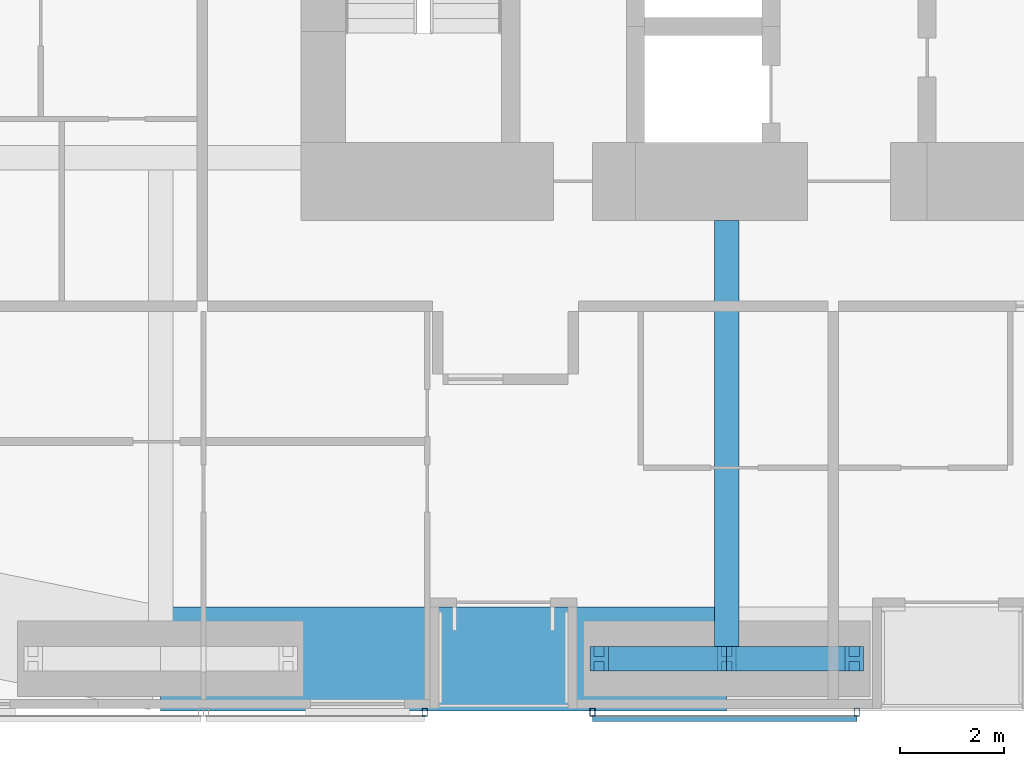
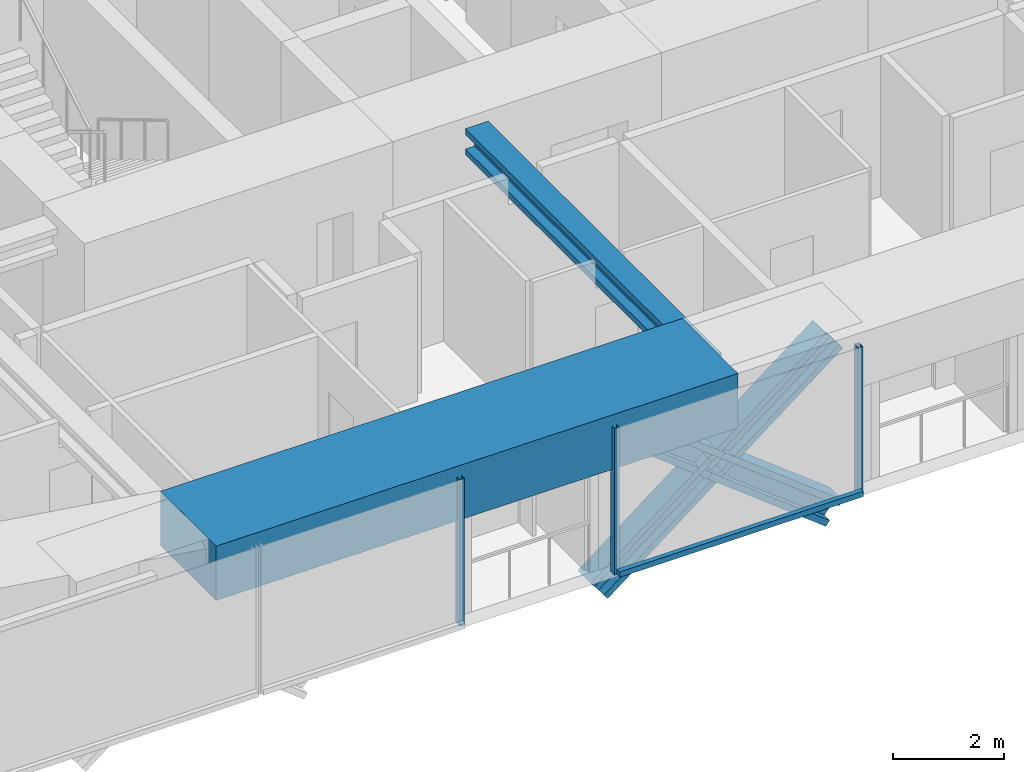
# One storey, part 4 of 23: 8 members, 2 beams, 2 elements without a shape of their own.
"""IFC4 building model written with IfcOpenShell, lengths in metres."""

from ifc_helpers import new_model, si_unit, direction, frame, origin, origin_2d, place, context, subcontext, project, spatial, rectangle, hollow_rectangle, i_section, extrude, material, material_profile, profile_set, type_object, element, aggregate, save


model = new_model("IFC4")

# Units and contexts
model_context = context("Model", 3, precision=1e-05, world=origin(), true_north=direction((0.0, 1.0)))
body_context = subcontext(model_context, "Body", "Model", "MODEL_VIEW")
ifc_project = project(units=[si_unit("LENGTHUNIT", "METRE"), si_unit("AREAUNIT", "SQUARE_METRE"), si_unit("VOLUMEUNIT", "CUBIC_METRE"), si_unit("PLANEANGLEUNIT", "RADIAN"), si_unit("MASSUNIT", "GRAM", prefix="KILO")], contexts=[model_context])

# Site, building, storey
site_placement = place(None, origin())
site = spatial("IfcSite", under=ifc_project, at=site_placement, CompositionType="ELEMENT")
building_placement = place(site_placement, origin())
building = spatial("IfcBuilding", under=site, at=building_placement, Name="Jalousie Tower", CompositionType="ELEMENT")
storey_placement = place(building_placement, frame((0.0, 0.0, 84.75)))
storey = spatial("IfcBuildingStorey", under=building, at=storey_placement, Name="L22", CompositionType="ELEMENT", Elevation=84.75)

# Beam
ifc_material_1 = material(Name="Steel ASTM A992 Grade 50", Category="steel")
ifc_material_profile_1 = material_profile(ifc_material_1, i_section(OverallWidth=0.472412109375, OverallDepth=0.5791015625, WebThickness=0.094970703125, FlangeThickness=0.1298828125, at=origin_2d()), Name="W14X808")
ifc_profile_set_1 = profile_set([ifc_material_profile_1], Name="Steel ASTM A992 Grade 50")
beam_type_1 = type_object("IfcBeamType", Name="LEAN COLLECTOR W14X808", PredefinedType="BEAM", material=ifc_profile_set_1)
beam_1_placement = place(storey_placement, frame((27.75, 0.949951171875, 2.8203125), z_axis=(0.0, 1.0, 0.0), x_axis=(-1.0, 0.0, 0.0)))
element("IfcBeam", 1, at=beam_1_placement, inside=storey, type_object=beam_type_1, Name="Lean collector under L23", PredefinedType="BEAM", context=body_context, shape_type="SweptSolid", body=[
    extrude(i_section(OverallWidth=0.472412109375, OverallDepth=0.5791015625, WebThickness=0.094970703125, FlangeThickness=0.1298828125, at=origin_2d()), origin(), (0.0, 0.0, 1.0), 8.425048828125),
])

# Members
ifc_material_2 = material(Name="Steel ASTM A992 Grade 50", Category="steel")
ifc_material_profile_2 = material_profile(ifc_material_2, i_section(OverallWidth=0.472412109375, OverallDepth=0.5791015625, WebThickness=0.094970703125, FlangeThickness=0.1298828125, at=origin_2d()), Name="W14X808")
ifc_profile_set_2 = profile_set([ifc_material_profile_2], Name="Steel ASTM A992 Grade 50")
member_type_1 = type_object("IfcMemberType", Name="PERIMETER BRACE W14X808", PredefinedType="BRACE", material=ifc_profile_set_2)
for number, where, z_axis, x_axis, name in (
    (2, (25.300048828125, 0.949951171875, -1.050048828125), (0.790191006211, 0.0, 0.612860647866), (0.0, 1.0, 0.0), "Perimeter brace 03 L22 part 1"),
    (3, (27.75, 0.949951171875, 0.85009765625), (0.790229140184, 0.0, 0.612811476723), (0.0, 1.0, 0.0), "Perimeter brace 03 L22 part 2"),
    (4, (30.199951171875, 0.949951171875, -1.050048828125), (-0.790191006211, 0.0, 0.612860647866), (0.0, -1.0, 0.0), "Perimeter brace 03 L22 part 3"),
    (5, (27.75, 0.949951171875, 0.85009765625), (-0.790229140184, 0.0, 0.612811476723), (0.0, -1.0, 0.0), "Perimeter brace 03 L22 part 4"),
):
    element("IfcMember", number, at=place(storey_placement, frame(where, z_axis=z_axis, x_axis=x_axis)), inside=storey, type_object=member_type_1, Name=name, PredefinedType="BRACE", context=body_context, shape_type="SweptSolid", body=[
        extrude(i_section(OverallWidth=0.472412109375, OverallDepth=0.5791015625, WebThickness=0.094970703125, FlangeThickness=0.1298828125, at=origin_2d()), origin(), (0.0, 0.0, 1.0), 3.100341796875),
    ])

# Beam
ifc_material_3 = material(Name="Concrete f'c 40 MPa", Category="concrete")
ifc_material_profile_3 = material_profile(ifc_material_3, rectangle(XDim=2.0, YDim=1.199951171875, at=origin_2d()), Name="RC 2000x1200")
ifc_profile_set_3 = profile_set([ifc_material_profile_3], Name="Concrete f'c 40 MPa")
beam_type_2 = type_object("IfcBeamType", Name="RC BEAM 2000x1200", PredefinedType="BEAM", material=ifc_profile_set_3)
beam_2_placement = place(storey_placement, frame((16.875, 0.949951171875, 2.75), z_axis=(1.0, 0.0, 0.0), x_axis=(0.0, 1.0, 0.0)))
element("IfcBeam", 6, at=beam_2_placement, inside=storey, type_object=beam_type_2, Name="Edge band beam 02-03 under L23", PredefinedType="BEAM", context=body_context, shape_type="SweptSolid", body=[
    extrude(rectangle(XDim=2.0, YDim=1.199951171875, at=origin_2d()), origin(), (0.0, 0.0, 1.0), 10.875),
])

# Curtain wall, member
ifc_material_4 = material(Name="Perforated aluminium sheet", Category="aluminium")
curtain_wall_type = type_object("IfcCurtainWallType", Name="SOLAR SCREEN SS-1", PredefinedType="USERDEFINED", material=ifc_material_4)
curtain_wall_1_placement = place(storey_placement, origin())
curtain_wall_1 = element("IfcCurtainWall", 7, at=curtain_wall_1_placement, inside=storey, type_object=curtain_wall_type, Name="Solar screen L22", ObjectType="SOLAR SCREEN SS-1", PredefinedType="USERDEFINED")
ifc_material_5 = material(Name="Steel ASTM A500 Grade C", Category="steel")
ifc_material_profile_4 = material_profile(ifc_material_5, hollow_rectangle(XDim=0.1015625, YDim=0.15234375, WallThickness=0.00634765625, at=origin_2d()), Name="HSS6X4X1/4")
ifc_profile_set_4 = profile_set([ifc_material_profile_4], Name="Steel ASTM A500 Grade C")
member_type_2 = type_object("IfcMemberType", Name="SOLAR SCREEN SS-1 MULLION", PredefinedType="MULLION", material=ifc_profile_set_4)
member_1_placement = place(storey_placement, frame((21.949951171875, -0.0712890625, -0.1201171875), z_axis=(0.0, 0.0, 1.0), x_axis=(1.0, 0.0, 0.0)))
member_1 = element("IfcMember", 8, at=member_1_placement, type_object=member_type_2, Name="SS1 post 2", PredefinedType="MULLION", context=body_context, shape_type="SweptSolid", body=[
    extrude(hollow_rectangle(XDim=0.1015625, YDim=0.15234375, WallThickness=0.00634765625, at=origin_2d()), origin(), (0.0, 0.0, 1.0), 3.230224609375),
])
aggregate(curtain_wall_1, [member_1])

# Curtain wall, members
curtain_wall_2_placement = place(storey_placement, origin())
curtain_wall_2 = element("IfcCurtainWall", 9, at=curtain_wall_2_placement, inside=storey, type_object=curtain_wall_type, Name="Solar screen L22", ObjectType="SOLAR SCREEN SS-1", PredefinedType="USERDEFINED")
member_2_placement = place(storey_placement, frame((25.175048828125, -0.0712890625, -0.1201171875), z_axis=(0.0, 0.0, 1.0), x_axis=(1.0, 0.0, 0.0)))
member_2 = element("IfcMember", 10, at=member_2_placement, type_object=member_type_2, Name="SS1 post 1", PredefinedType="MULLION", context=body_context, shape_type="SweptSolid", body=[
    extrude(hollow_rectangle(XDim=0.1015625, YDim=0.15234375, WallThickness=0.00634765625, at=origin_2d()), origin(), (0.0, 0.0, 1.0), 3.230224609375),
])
member_3_placement = place(storey_placement, frame((30.25, -0.0712890625, -0.1201171875), z_axis=(0.0, 0.0, 1.0), x_axis=(1.0, 0.0, 0.0)))
member_3 = element("IfcMember", 11, at=member_3_placement, type_object=member_type_2, Name="SS1 post 2", PredefinedType="MULLION", context=body_context, shape_type="SweptSolid", body=[
    extrude(hollow_rectangle(XDim=0.1015625, YDim=0.15234375, WallThickness=0.00634765625, at=origin_2d()), origin(), (0.0, 0.0, 1.0), 3.230224609375),
])
ifc_material_6 = material(Name="Extruded aluminium screen rail", Category="aluminium")
ifc_material_profile_5 = material_profile(ifc_material_6, rectangle(XDim=0.1015625, YDim=0.1201171875, at=origin_2d()), Name="RAIL 102x120")
ifc_profile_set_5 = profile_set([ifc_material_profile_5], Name="Extruded aluminium screen rail")
member_type_3 = type_object("IfcMemberType", Name="SOLAR SCREEN SS-1 TRANSOM", PredefinedType="USERDEFINED", material=ifc_profile_set_5)
member_4_placement = place(storey_placement, frame((25.175048828125, -0.1982421875, -0.06005859375), z_axis=(1.0, 0.0, 0.0), x_axis=(0.0, 1.0, 0.0)))
member_4 = element("IfcMember", 12, at=member_4_placement, type_object=member_type_3, Name="SS1 rail", ObjectType="TRANSOM", PredefinedType="USERDEFINED", context=body_context, shape_type="SweptSolid", body=[
    extrude(rectangle(XDim=0.1015625, YDim=0.1201171875, at=origin_2d()), origin(), (0.0, 0.0, 1.0), 5.074951171875),
])
aggregate(curtain_wall_2, [member_2, member_3, member_4])

save(model, "model.ifc")
